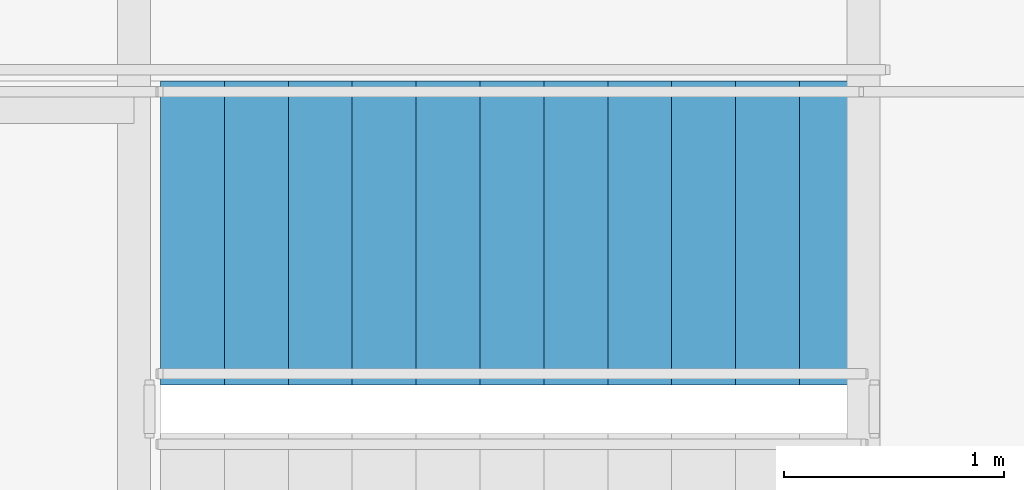
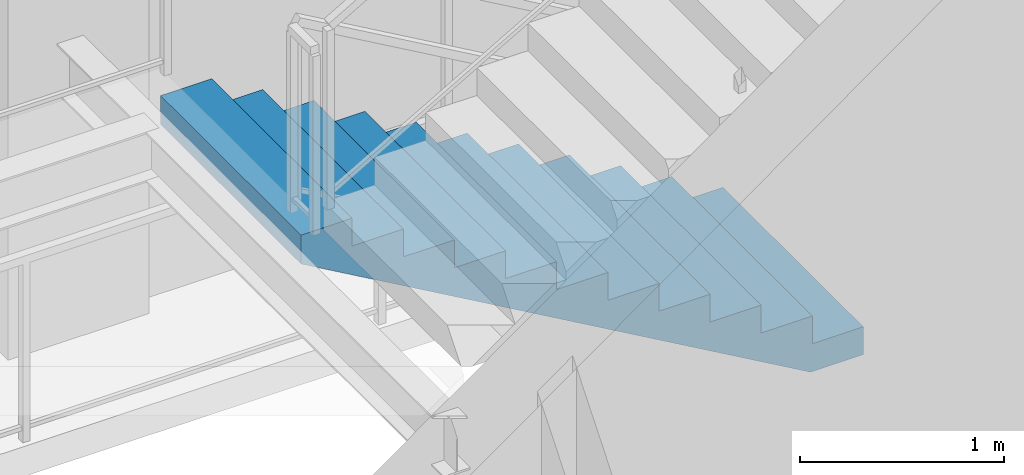
# One storey, part 34 of 37: 1 stair flight, 1 element without a shape of its own.
"""IFC4 building model written with IfcOpenShell, lengths in metres."""

from ifc_helpers import new_model, si_unit, direction, frame, origin, place, context, subcontext, project, spatial, polyline, outline, extrude, material, type_object, element, aggregate, save


model = new_model("IFC4")

# Units and contexts
model_context = context("Model", 3, precision=1e-05, world=origin(), true_north=direction((0.0, 1.0)))
body_context = subcontext(model_context, "Body", "Model", "MODEL_VIEW")
ifc_project = project(units=[si_unit("LENGTHUNIT", "METRE"), si_unit("AREAUNIT", "SQUARE_METRE"), si_unit("VOLUMEUNIT", "CUBIC_METRE"), si_unit("PLANEANGLEUNIT", "RADIAN"), si_unit("MASSUNIT", "GRAM", prefix="KILO")], contexts=[model_context])

# Site, building, storey
site_placement = place(None, origin())
site = spatial("IfcSite", under=ifc_project, at=site_placement, CompositionType="ELEMENT")
building_placement = place(site_placement, origin())
building = spatial("IfcBuilding", under=site, at=building_placement, Name="Khoronbel Lancet Exchange", CompositionType="ELEMENT")
storey_placement = place(building_placement, frame((0.0, 0.0, 45.800048828125)))
storey = spatial("IfcBuildingStorey", under=building, at=storey_placement, Name="L10", CompositionType="ELEMENT", Elevation=45.800048828125)

# Stair, stair flight
ifc_material = material(Name="Concrete C40/50", Category="concrete")
stair_type = type_object("IfcStairType", Name="STR-CORE150", PredefinedType="HALF_TURN_STAIR", material=ifc_material)
stair_placement = place(storey_placement, origin())
stair = element("IfcStair", 1, at=stair_placement, inside=storey, type_object=stair_type, Name="L10 Protected Exit Stair ST2", PredefinedType="HALF_TURN_STAIR")
stair_flight_type = type_object("IfcStairFlightType", Name="STF-150", PredefinedType="STRAIGHT", material=ifc_material)
stair_flight_placement = place(storey_placement, frame((54.60009765625, 51.409912109375, 0.0), z_axis=(0.0, 0.0, 1.0), x_axis=(-1.0, 0.0, 0.0)))
stair_flight = element("IfcStairFlight", 2, at=stair_flight_placement, type_object=stair_flight_type, Name="ST2 flight 1", NumberOfRisers=12, NumberOfTreads=11, PredefinedType="STRAIGHT", RiserHeight=0.166666667, TreadLength=0.29, context=body_context, shape_type="SweptSolid", body=[
    extrude(outline(polyline([(0.0, 0.0), (0.0, 0.166748046875), (0.2900390625, 0.166748046875), (0.2900390625, 0.333251953125), (0.580078125, 0.333251953125), (0.580078125, 0.5), (0.8701171875, 0.5), (0.8701171875, 0.666748046875), (1.159912109375, 0.666748046875), (1.159912109375, 0.833251953125), (1.449951171875, 0.833251953125), (1.449951171875, 1.0), (1.739990234375, 1.0), (1.739990234375, 1.166748046875), (2.030029296875, 1.166748046875), (2.030029296875, 1.333251953125), (2.320068359375, 1.333251953125), (2.320068359375, 1.5), (2.610107421875, 1.5), (2.610107421875, 1.666748046875), (2.89990234375, 1.666748046875), (2.89990234375, 1.833251953125), (3.18994140625, 1.833251953125), (3.18994140625, 2.0), (3.18994140625, 1.660400390625), (0.30078125, 0.0), (0.0, 0.0)])), frame((0.0, 0.68994140625, 0.0), z_axis=(0.0, -1.0, 0.0), x_axis=(1.0, 0.0, 0.0)), (0.0, 0.0, 1.0), 1.3798828125),
])
aggregate(stair, [stair_flight])

save(model, "model.ifc")
